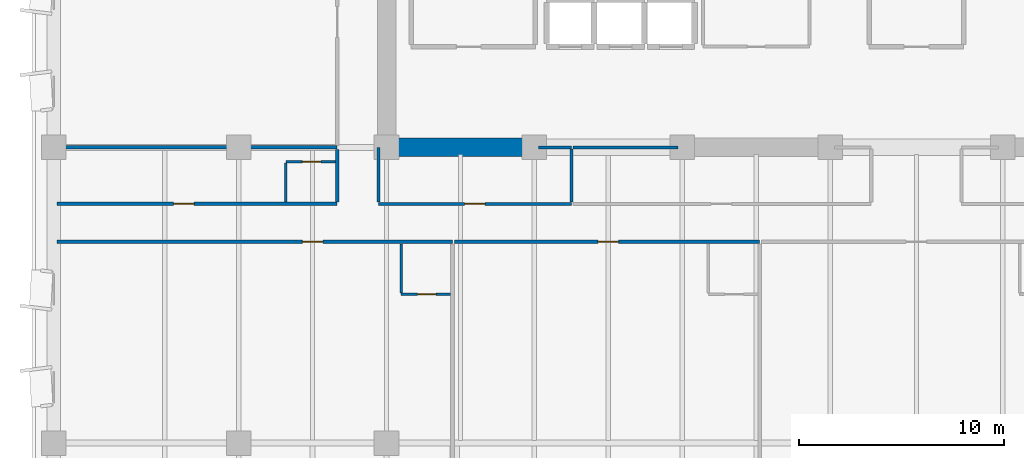
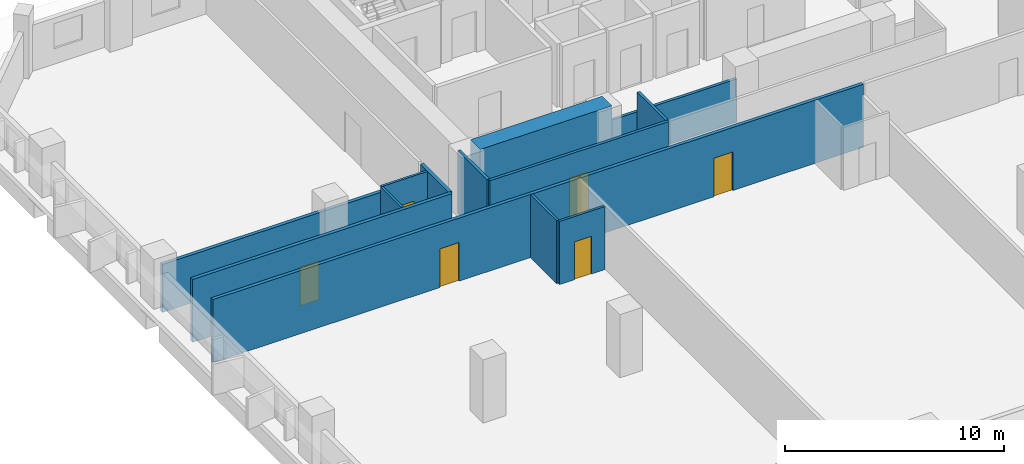
# One storey, part 4 of 14: 15 walls, 6 doors, 6 openings.
"""IFC4 building model written with IfcOpenShell, lengths in metres."""

from ifc_helpers import new_model, si_unit, direction, frame, frame_2d, origin, place, context, subcontext, project, spatial, rectangle, extrude, material, layer, layer_set, type_object, element, fill, save


model = new_model("IFC4")

# Units and contexts
model_context = context("Model", 3, precision=1e-05, world=origin(), true_north=direction((0.0, 1.0)))
body_context = subcontext(model_context, "Body", "Model", "MODEL_VIEW")
ifc_project = project(units=[si_unit("LENGTHUNIT", "METRE"), si_unit("AREAUNIT", "SQUARE_METRE"), si_unit("VOLUMEUNIT", "CUBIC_METRE"), si_unit("PLANEANGLEUNIT", "RADIAN"), si_unit("MASSUNIT", "GRAM", prefix="KILO")], contexts=[model_context])

# Site, building, storey
site_placement = place(None, origin())
site = spatial("IfcSite", under=ifc_project, at=site_placement, CompositionType="ELEMENT")
building_placement = place(site_placement, origin())
building = spatial("IfcBuilding", under=site, at=building_placement, Name="Kaelvorn Grand Hotel", CompositionType="ELEMENT")
storey_placement = place(building_placement, frame((0.0, 0.0, 126.800048828125)))
storey = spatial("IfcBuildingStorey", under=building, at=storey_placement, Name="L30", CompositionType="ELEMENT", Elevation=126.800048828125)

# Wall
ifc_material_1 = material(Name="Concrete C60/75", Category="concrete")
ifc_layer_1 = layer(ifc_material_1, 0.89990234375)
ifc_layer_set_1 = layer_set([ifc_layer_1], Name="Concrete C60/75")
wall_type_1 = type_object("IfcWallType", Name="WL-CORE-900-C60", PredefinedType="SHEAR", material=ifc_layer_set_1)
wall_1_placement = place(storey_placement, frame((16.655029296875, 29.39990234375, 0.0), z_axis=(0.0, 0.0, 1.0), x_axis=(1.0, 0.0, 0.0)))
element("IfcWall", 1, at=wall_1_placement, inside=storey, type_object=wall_type_1, Name="L30 Rear-Core Coupled Shear Pier S1", PredefinedType="SHEAR", context=body_context, shape_type="SweptSolid", body=[
    extrude(rectangle(XDim=6.945068359375, YDim=0.89990234375, at=frame_2d((3.47265625, 0.0))), origin(), (0.0, 0.0, 1.0), 3.510009765625),
])

# Wall, opening, door
ifc_material_2 = material(Name="Moisture-Resistant Tile & Stud Board")
ifc_layer_2 = layer(ifc_material_2, 0.125)
ifc_layer_set_2 = layer_set([ifc_layer_2], Name="Moisture-Resistant Tile & Stud Board")
wall_type_2 = type_object("IfcWallType", Name="WL-PART-125-WET", PredefinedType="PARTITIONING", material=ifc_layer_set_2)
wall_2_placement = place(storey_placement, frame((16.909912109375, 22.25, 0.0), z_axis=(0.0, 0.0, 1.0), x_axis=(1.0, 0.0, 0.0)))
wall_2 = element("IfcWall", 2, at=wall_2_placement, inside=storey, type_object=wall_type_2, Name="L30 En-suite Bathroom L30-01 S Partition", PredefinedType="PARTITIONING", context=body_context, shape_type="SweptSolid", body=[
    extrude(rectangle(XDim=2.40478515625, YDim=0.125, at=frame_2d((1.202392578125, 0.0))), origin(), (0.0, 0.0, 1.0), 3.510009765625),
])
opening_1_placement = place(wall_2_placement, frame((0.800048828125, 0.0, 0.0)))
opening_1 = element("IfcOpeningElement", 3, at=opening_1_placement, cuts=wall_2, Name="Opening DI4", PredefinedType="OPENING", context=body_context, shape_type="SweptSolid", body=[
    extrude(rectangle(XDim=0.89990234375, YDim=2.10009765625, at=frame_2d((0.449951171875, 1.050048828125))), frame((0.0, 0.072509765625, 0.0), z_axis=(0.0, -1.0, 0.0), x_axis=(1.0, 0.0, 0.0)), (0.0, 0.0, 1.0), 0.14501953125),
])
ifc_material_3 = material(Name="Timber Veneer Leaf", Category="wood")
door_type_1 = type_object("IfcDoorType", Name="DR-INT-BATH-900x2100", OperationType="NOTDEFINED", PredefinedType="DOOR", material=ifc_material_3)
door_1_placement = place(opening_1_placement, origin())
door_1 = element("IfcDoor", 4, at=door_1_placement, inside=storey, type_object=door_type_1, Name="L30 En-suite Bathroom L30-01 Door", OperationType="SINGLE_SWING_RIGHT", OverallHeight=2.10009765625, OverallWidth=0.89990234375, PredefinedType="DOOR", context=body_context, shape_type="SweptSolid", body=[
    extrude(rectangle(XDim=0.89990234375, YDim=2.10009765625, at=frame_2d((0.449951171875, 1.050048828125))), frame((0.0, 0.02490234375, 0.0), z_axis=(0.0, -1.0, 0.0), x_axis=(1.0, 0.0, 0.0)), (0.0, 0.0, 1.0), 0.050048828125),
])
fill(opening_1, door_1)

# Wall
wall_3_placement = place(storey_placement, frame((16.909912109375, 22.3173828125, 0.0), z_axis=(0.0, 0.0, 1.0), x_axis=(0.0, 1.0, 0.0)))
element("IfcWall", 5, at=wall_3_placement, inside=storey, type_object=wall_type_2, Name="L30 En-suite Bathroom L30-01 W Partition", PredefinedType="PARTITIONING", context=body_context, shape_type="SweptSolid", body=[
    extrude(rectangle(XDim=2.3876953125, YDim=0.125, at=frame_2d((1.19384765625, 0.0))), origin(), (0.0, 0.0, 1.0), 3.510009765625),
])

# Wall, opening, door
wall_4_placement = place(storey_placement, frame((11.300048828125, 28.699951171875, 0.0), z_axis=(0.0, 0.0, 1.0), x_axis=(1.0, 0.0, 0.0)))
wall_4 = element("IfcWall", 6, at=wall_4_placement, inside=storey, type_object=wall_type_2, Name="L30 En-suite Bathroom L30-06 N Partition", PredefinedType="PARTITIONING", context=body_context, shape_type="SweptSolid", body=[
    extrude(rectangle(XDim=2.405029296875, YDim=0.125, at=frame_2d((1.20263671875, 0.0))), origin(), (0.0, 0.0, 1.0), 3.510009765625),
])
opening_2_placement = place(wall_4_placement, frame((0.800048828125, 0.0, 0.0)))
opening_2 = element("IfcOpeningElement", 7, at=opening_2_placement, cuts=wall_4, Name="Opening DI4", PredefinedType="OPENING", context=body_context, shape_type="SweptSolid", body=[
    extrude(rectangle(XDim=0.89990234375, YDim=2.10009765625, at=frame_2d((0.449951171875, 1.050048828125))), frame((0.0, 0.072509765625, 0.0), z_axis=(0.0, -1.0, 0.0), x_axis=(1.0, 0.0, 0.0)), (0.0, 0.0, 1.0), 0.14501953125),
])
door_2_placement = place(opening_2_placement, origin())
door_2 = element("IfcDoor", 8, at=door_2_placement, inside=storey, type_object=door_type_1, Name="L30 En-suite Bathroom L30-06 Door", OperationType="SINGLE_SWING_RIGHT", OverallHeight=2.10009765625, OverallWidth=0.89990234375, PredefinedType="DOOR", context=body_context, shape_type="SweptSolid", body=[
    extrude(rectangle(XDim=0.89990234375, YDim=2.10009765625, at=frame_2d((0.449951171875, 1.050048828125))), frame((0.0, 0.02490234375, 0.0), z_axis=(0.0, -1.0, 0.0), x_axis=(1.0, 0.0, 0.0)), (0.0, 0.0, 1.0), 0.050048828125),
])
fill(opening_2, door_2)

# Wall
wall_5_placement = place(storey_placement, frame((11.300048828125, 26.7451171875, 0.0), z_axis=(0.0, 0.0, 1.0), x_axis=(0.0, 1.0, 0.0)))
element("IfcWall", 9, at=wall_5_placement, inside=storey, type_object=wall_type_2, Name="L30 En-suite Bathroom L30-06 W Partition", PredefinedType="PARTITIONING", context=body_context, shape_type="SweptSolid", body=[
    extrude(rectangle(XDim=1.887451171875, YDim=0.125, at=frame_2d((0.94384765625, 0.0))), origin(), (0.0, 0.0, 1.0), 3.510009765625),
])

# Wall, opening, door
ifc_material_4 = material(Name="Acoustic Gypsum & Stud Partition")
ifc_layer_3 = layer(ifc_material_4, 0.14990234375)
ifc_layer_set_3 = layer_set([ifc_layer_3], Name="Acoustic Gypsum & Stud Partition")
wall_type_3 = type_object("IfcWallType", Name="WL-PART-150-EI60", PredefinedType="PARTITIONING", material=ifc_layer_set_3)
wall_6_placement = place(storey_placement, frame((15.800048828125, 26.64990234375, 0.0), z_axis=(0.0, 0.0, 1.0), x_axis=(1.0, 0.0, 0.0)))
wall_6 = element("IfcWall", 10, at=wall_6_placement, inside=storey, type_object=wall_type_3, Name="L30 Music & Recital Salon S Partition", PredefinedType="PARTITIONING", context=body_context, shape_type="SweptSolid", body=[
    extrude(rectangle(XDim=9.39990234375, YDim=0.14990234375, at=frame_2d((4.699951171875, 0.0))), origin(), (0.0, 0.0, 1.0), 3.510009765625),
])
opening_3_placement = place(wall_6_placement, frame((4.199951171875, 0.0, 0.0)))
opening_3 = element("IfcOpeningElement", 11, at=opening_3_placement, cuts=wall_6, Name="Opening DI3", PredefinedType="OPENING", context=body_context, shape_type="SweptSolid", body=[
    extrude(rectangle(XDim=1.0, YDim=2.14990234375, at=frame_2d((0.5, 1.074951171875))), frame((0.0, 0.0849609375, 0.0), z_axis=(0.0, -1.0, 0.0), x_axis=(1.0, 0.0, 0.0)), (0.0, 0.0, 1.0), 0.169921875),
])
ifc_material_5 = material(Name="Timber Veneer Fire Leaf", Category="wood")
door_type_2 = type_object("IfcDoorType", Name="DR-INT-GUEST-1000x2150", OperationType="NOTDEFINED", PredefinedType="DOOR", material=ifc_material_5)
door_3_placement = place(opening_3_placement, origin())
door_3 = element("IfcDoor", 12, at=door_3_placement, inside=storey, type_object=door_type_2, Name="L30 Music & Recital Salon Door", OperationType="SINGLE_SWING_LEFT", OverallHeight=2.14990234375, OverallWidth=1.0, PredefinedType="DOOR", context=body_context, shape_type="SweptSolid", body=[
    extrude(rectangle(XDim=1.0, YDim=2.14990234375, at=frame_2d((0.5, 1.074951171875))), frame((0.0, 0.02490234375, 0.0), z_axis=(0.0, -1.0, 0.0), x_axis=(1.0, 0.0, 0.0)), (0.0, 0.0, 1.0), 0.050048828125),
])
fill(opening_3, door_3)

# Walls
wall_7_placement = place(storey_placement, frame((23.610107421875, 29.39990234375, 0.0), z_axis=(0.0, 0.0, 1.0), x_axis=(1.0, 0.0, 0.0)))
element("IfcWall", 13, at=wall_7_placement, inside=storey, type_object=wall_type_3, Name="L30 Music & Recital Salon N Partition", PredefinedType="PARTITIONING", context=body_context, shape_type="SweptSolid", body=[
    extrude(rectangle(XDim=1.58984375, YDim=0.14990234375, at=frame_2d((0.794921875, 0.0))), origin(), (0.0, 0.0, 1.0), 2.409912109375),
])
wall_8_placement = place(storey_placement, frame((15.800048828125, 26.72998046875, 0.0), z_axis=(0.0, 0.0, 1.0), x_axis=(0.0, 1.0, 0.0)))
element("IfcWall", 14, at=wall_8_placement, inside=storey, type_object=wall_type_3, Name="L30 Music & Recital Salon W Partition", PredefinedType="PARTITIONING", context=body_context, shape_type="SweptSolid", body=[
    extrude(rectangle(XDim=2.659912109375, YDim=0.14990234375, at=frame_2d((1.330078125, 0.0))), origin(), (0.0, 0.0, 1.0), 3.510009765625),
])
wall_9_placement = place(storey_placement, frame((25.199951171875, 26.72998046875, 0.0), z_axis=(0.0, 0.0, 1.0), x_axis=(0.0, 1.0, 0.0)))
element("IfcWall", 15, at=wall_9_placement, inside=storey, type_object=wall_type_3, Name="L30 Music & Recital Salon E Partition", PredefinedType="PARTITIONING", context=body_context, shape_type="SweptSolid", body=[
    extrude(rectangle(XDim=2.590087890625, YDim=0.14990234375, at=frame_2d((1.294921875, 0.0))), origin(), (0.0, 0.0, 1.0), 3.510009765625),
])
wall_10_placement = place(storey_placement, frame((25.280029296875, 29.39990234375, 0.0), z_axis=(0.0, 0.0, 1.0), x_axis=(1.0, 0.0, 0.0)))
element("IfcWall", 16, at=wall_10_placement, inside=storey, type_object=wall_type_3, Name="L30 Banquet Prep Kitchen N Partition (1)", PredefinedType="PARTITIONING", context=body_context, shape_type="SweptSolid", body=[
    extrude(rectangle(XDim=5.10986328125, YDim=0.14990234375, at=frame_2d((2.554931640625, 0.0))), origin(), (0.0, 0.0, 1.0), 2.409912109375),
])

# Wall, opening, door
ifc_layer_4 = layer(ifc_material_4, 0.179931640625)
ifc_layer_set_4 = layer_set([ifc_layer_4], Name="Acoustic Gypsum & Stud Partition")
wall_type_4 = type_object("IfcWallType", Name="WL-PART-180-EI60", PredefinedType="PARTITIONING", material=ifc_layer_set_4)
wall_11_placement = place(storey_placement, frame((0.14990234375, 24.800048828125, 0.0), z_axis=(0.0, 0.0, 1.0), x_axis=(1.0, 0.0, 0.0)))
wall_11 = element("IfcWall", 17, at=wall_11_placement, inside=storey, type_object=wall_type_4, Name="L30 Presidential Sky Suite L30-01 N Partition", PredefinedType="PARTITIONING", context=body_context, shape_type="SweptSolid", body=[
    extrude(rectangle(XDim=19.260009765625, YDim=0.179931640625, at=frame_2d((9.6298828125, 0.0))), origin(), (0.0, 0.0, 1.0), 3.510009765625),
])
opening_4_placement = place(wall_11_placement, frame((11.949951171875, 0.0, 0.0)))
opening_4 = element("IfcOpeningElement", 18, at=opening_4_placement, cuts=wall_11, Name="Opening DI3", PredefinedType="OPENING", context=body_context, shape_type="SweptSolid", body=[
    extrude(rectangle(XDim=1.0, YDim=2.14990234375, at=frame_2d((0.5, 1.074951171875))), frame((0.0, 0.10009765625, 0.0), z_axis=(0.0, -1.0, 0.0), x_axis=(1.0, 0.0, 0.0)), (0.0, 0.0, 1.0), 0.199951171875),
])
door_4_placement = place(opening_4_placement, origin())
door_4 = element("IfcDoor", 19, at=door_4_placement, inside=storey, type_object=door_type_2, Name="L30 Presidential Sky Suite L30-01 Door", OperationType="SINGLE_SWING_LEFT", OverallHeight=2.14990234375, OverallWidth=1.0, PredefinedType="DOOR", context=body_context, shape_type="SweptSolid", body=[
    extrude(rectangle(XDim=1.0, YDim=2.14990234375, at=frame_2d((0.5, 1.074951171875))), frame((0.0, 0.02490234375, 0.0), z_axis=(0.0, -1.0, 0.0), x_axis=(1.0, 0.0, 0.0)), (0.0, 0.0, 1.0), 0.050048828125),
])
fill(opening_4, door_4)

wall_12_placement = place(storey_placement, frame((19.5048828125, 24.800048828125, 0.0), z_axis=(0.0, 0.0, 1.0), x_axis=(1.0, 0.0, 0.0)))
wall_12 = element("IfcWall", 20, at=wall_12_placement, inside=storey, type_object=wall_type_4, Name="L30 Presidential Sky Suite L30-02 N Partition", PredefinedType="PARTITIONING", context=body_context, shape_type="SweptSolid", body=[
    extrude(rectangle(XDim=14.864501953125, YDim=0.179931640625, at=frame_2d((7.43212890625, 0.0))), origin(), (0.0, 0.0, 1.0), 3.510009765625),
])
opening_5_placement = place(wall_12_placement, frame((6.9951171875, 0.0, 0.0)))
opening_5 = element("IfcOpeningElement", 21, at=opening_5_placement, cuts=wall_12, Name="Opening DI3", PredefinedType="OPENING", context=body_context, shape_type="SweptSolid", body=[
    extrude(rectangle(XDim=1.0, YDim=2.14990234375, at=frame_2d((0.5, 1.074951171875))), frame((0.0, 0.10009765625, 0.0), z_axis=(0.0, -1.0, 0.0), x_axis=(1.0, 0.0, 0.0)), (0.0, 0.0, 1.0), 0.199951171875),
])
door_5_placement = place(opening_5_placement, origin())
door_5 = element("IfcDoor", 22, at=door_5_placement, inside=storey, type_object=door_type_2, Name="L30 Presidential Sky Suite L30-02 Door", OperationType="SINGLE_SWING_LEFT", OverallHeight=2.14990234375, OverallWidth=1.0, PredefinedType="DOOR", context=body_context, shape_type="SweptSolid", body=[
    extrude(rectangle(XDim=1.0, YDim=2.14990234375, at=frame_2d((0.5, 1.074951171875))), frame((0.0, 0.02490234375, 0.0), z_axis=(0.0, -1.0, 0.0), x_axis=(1.0, 0.0, 0.0)), (0.0, 0.0, 1.0), 0.050048828125),
])
fill(opening_5, door_5)

wall_13_placement = place(storey_placement, frame((0.14990234375, 26.64990234375, 0.0), z_axis=(0.0, 0.0, 1.0), x_axis=(1.0, 0.0, 0.0)))
wall_13 = element("IfcWall", 23, at=wall_13_placement, inside=storey, type_object=wall_type_4, Name="L30 West Chamfer Corner Suite L30-06 S Partition", PredefinedType="PARTITIONING", context=body_context, shape_type="SweptSolid", body=[
    extrude(rectangle(XDim=13.650146484375, YDim=0.179931640625, at=frame_2d((6.8251953125, 0.0))), origin(), (0.0, 0.0, 1.0), 3.510009765625),
])
opening_6_placement = place(wall_13_placement, frame((5.68505859375, 0.0, 0.0)))
opening_6 = element("IfcOpeningElement", 24, at=opening_6_placement, cuts=wall_13, Name="Opening DI3", PredefinedType="OPENING", context=body_context, shape_type="SweptSolid", body=[
    extrude(rectangle(XDim=1.0, YDim=2.14990234375, at=frame_2d((0.5, 1.074951171875))), frame((0.0, 0.10009765625, 0.0), z_axis=(0.0, -1.0, 0.0), x_axis=(1.0, 0.0, 0.0)), (0.0, 0.0, 1.0), 0.199951171875),
])
door_6_placement = place(opening_6_placement, origin())
door_6 = element("IfcDoor", 25, at=door_6_placement, inside=storey, type_object=door_type_2, Name="L30 West Chamfer Corner Suite L30-06 Door", OperationType="SINGLE_SWING_LEFT", OverallHeight=2.14990234375, OverallWidth=1.0, PredefinedType="DOOR", context=body_context, shape_type="SweptSolid", body=[
    extrude(rectangle(XDim=1.0, YDim=2.14990234375, at=frame_2d((0.5, 1.074951171875))), frame((0.0, 0.02490234375, 0.0), z_axis=(0.0, -1.0, 0.0), x_axis=(1.0, 0.0, 0.0)), (0.0, 0.0, 1.0), 0.050048828125),
])
fill(opening_6, door_6)

# Walls
wall_14_placement = place(storey_placement, frame((0.14990234375, 29.39990234375, 0.0), z_axis=(0.0, 0.0, 1.0), x_axis=(1.0, 0.0, 0.0)))
element("IfcWall", 26, at=wall_14_placement, inside=storey, type_object=wall_type_4, Name="L30 West Chamfer Corner Suite L30-06 N Partition", PredefinedType="PARTITIONING", context=body_context, shape_type="SweptSolid", body=[
    extrude(rectangle(XDim=13.650146484375, YDim=0.179931640625, at=frame_2d((6.8251953125, 0.0))), origin(), (0.0, 0.0, 1.0), 2.669189453125),
])
wall_15_placement = place(storey_placement, frame((13.800048828125, 26.7451171875, 0.0), z_axis=(0.0, 0.0, 1.0), x_axis=(0.0, 1.0, 0.0)))
element("IfcWall", 27, at=wall_15_placement, inside=storey, type_object=wall_type_4, Name="L30 West Chamfer Corner Suite L30-06 E Partition", PredefinedType="PARTITIONING", context=body_context, shape_type="SweptSolid", body=[
    extrude(rectangle(XDim=2.559814453125, YDim=0.179931640625, at=frame_2d((1.27978515625, 0.0))), origin(), (0.0, 0.0, 1.0), 3.510009765625),
])

save(model, "model.ifc")
